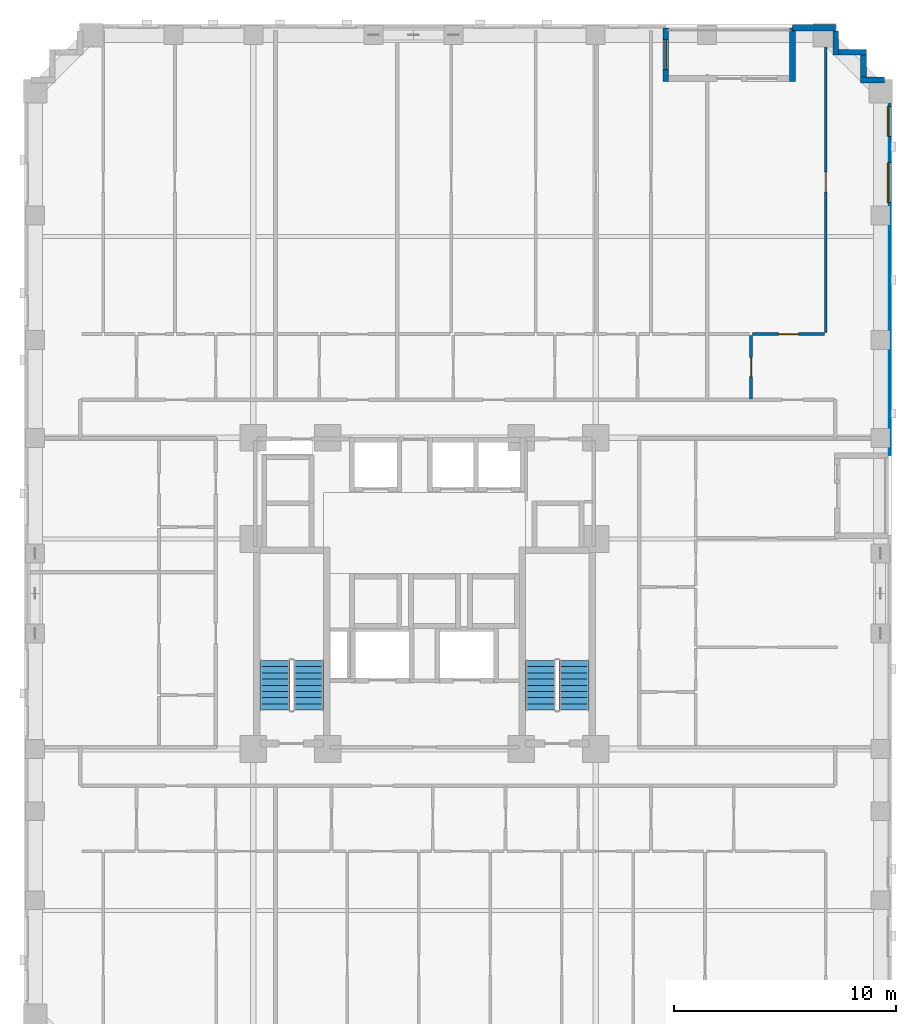
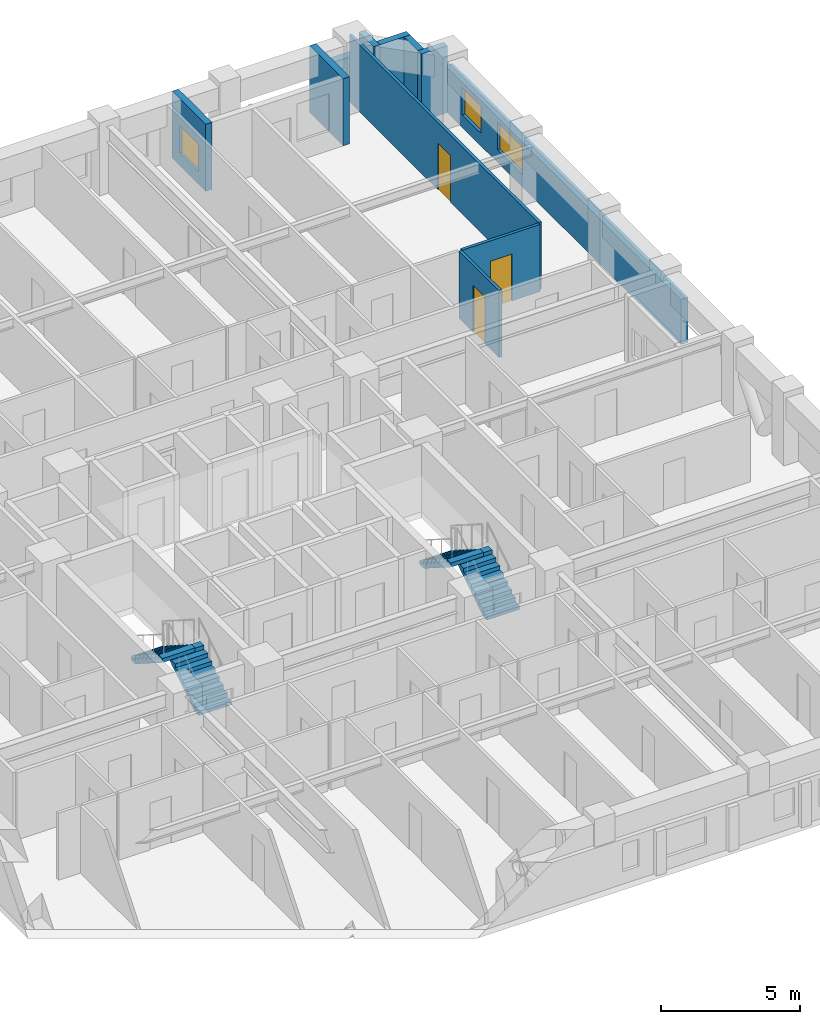
# One storey, part 9 of 14: 11 walls, 4 stair flights, 3 doors, 3 windows, 6 openings, 2 elements without a shape of their own.
"""IFC4 building model written with IfcOpenShell, lengths in metres."""

from ifc_helpers import new_model, si_unit, derived_unit, direction, frame, frame_2d, origin, place, context, subcontext, project, spatial, polyline, rectangle, outline, extrude, material, layer, layer_set, type_object, element, fill, aggregate, save


model = new_model("IFC4")

# Units and contexts
model_context = context("Model", 3, precision=1e-05, world=origin(), true_north=direction((0.0, 1.0)))
body_context = subcontext(model_context, "Body", "Model", "MODEL_VIEW")
ifc_project = project(units=[si_unit("LENGTHUNIT", "METRE"), si_unit("AREAUNIT", "SQUARE_METRE"), si_unit("VOLUMEUNIT", "CUBIC_METRE"), si_unit("PLANEANGLEUNIT", "RADIAN"), si_unit("MASSUNIT", "GRAM", prefix="KILO"), derived_unit("THERMALTRANSMITTANCEUNIT", [(si_unit("MASSUNIT", "GRAM", prefix="KILO"), 1), (si_unit("TIMEUNIT", "SECOND"), -3), (si_unit("THERMODYNAMICTEMPERATUREUNIT", "KELVIN"), -1)])], contexts=[model_context])

# Site, building, storey
site_placement = place(None, origin())
site = spatial("IfcSite", under=ifc_project, at=site_placement, CompositionType="ELEMENT")
building_placement = place(site_placement, origin())
building = spatial("IfcBuilding", under=site, at=building_placement, Name="Korrvale Station Residences", CompositionType="ELEMENT")
storey_placement = place(building_placement, frame((0.0, 0.0, 64.199951171875)))
storey = spatial("IfcBuildingStorey", under=building, at=storey_placement, Name="L17", CompositionType="ELEMENT", Elevation=64.199951171875)

# Wall, opening, window
ifc_material_1 = material(Name="Precast concrete C45/55", Category="concrete")
ifc_layer_1 = layer(ifc_material_1, 0.260009765625, Name="Precast concrete C45/55")
ifc_layer_set_1 = layer_set([ifc_layer_1], Name="Precast concrete C45/55")
wall_type_1 = type_object("IfcWallType", Name="WAL-EXT-LOG260", PredefinedType="SOLIDWALL", material=ifc_layer_set_1)
wall_1_placement = place(storey_placement, frame((36.35009765625, 47.43994140625, 0.0), z_axis=(0.0, 0.0, 1.0), x_axis=(0.0, -1.0, 0.0)))
wall_1 = element("IfcWall", 1, at=wall_1_placement, inside=storey, type_object=wall_type_1, Name="L17 Recessed Loggia Wall BAL-L17-N1-L", PredefinedType="SOLIDWALL", context=body_context, shape_type="SweptSolid", body=[
    extrude(rectangle(XDim=2.39990234375, YDim=0.260009765625, at=frame_2d((1.199951171875, 0.0))), origin(), (0.0, 0.0, 1.0), 2.93994140625),
])
opening_1_placement = place(wall_1_placement, frame((0.52490234375, 0.0, 0.550048828125)))
opening_1 = element("IfcOpeningElement", 2, at=opening_1_placement, cuts=wall_1, Name="Opening W-10", PredefinedType="OPENING", context=body_context, shape_type="SweptSolid", body=[
    extrude(rectangle(XDim=1.35009765625, YDim=1.199951171875, at=frame_2d((0.675048828125, 0.60009765625))), frame((0.0, 0.14013671875, 0.0), z_axis=(0.0, -1.0, 0.0), x_axis=(1.0, 0.0, 0.0)), (0.0, 0.0, 1.0), 0.280029296875),
])
ifc_material_2 = material(Name="Thermally broken aluminium frame with triple low-e glazing", Category="aluminium")
window_type_1 = type_object("IfcWindowType", Name="WIN-W10", PartitioningType="SINGLE_PANEL", PredefinedType="WINDOW", material=ifc_material_2)
window_1_placement = place(opening_1_placement, origin())
window_1 = element("IfcWindow", 3, at=window_1_placement, inside=storey, type_object=window_type_1, Name="L17 Punched Window 21", OverallHeight=1.199951171875, OverallWidth=1.35009765625, PartitioningType="SINGLE_PANEL", PredefinedType="WINDOW", context=body_context, shape_type="SweptSolid", body=[
    extrude(rectangle(XDim=1.35009765625, YDim=1.199951171875, at=frame_2d((0.675048828125, 0.60009765625))), frame((0.0, 0.030029296875, 0.0), z_axis=(0.0, -1.0, 0.0), x_axis=(1.0, 0.0, 0.0)), (0.0, 0.0, 1.0), 0.06005859375),
])
fill(opening_1, window_1)

# Walls
wall_2_placement = place(storey_placement, frame((42.050048828125, 45.0400390625, 0.0), z_axis=(0.0, 0.0, 1.0), x_axis=(0.0, 1.0, 0.0)))
element("IfcWall", 4, at=wall_2_placement, inside=storey, type_object=wall_type_1, Name="L17 Recessed Loggia Wall BAL-L17-N1-R", PredefinedType="SOLIDWALL", context=body_context, shape_type="SweptSolid", body=[
    extrude(rectangle(XDim=2.39990234375, YDim=0.260009765625, at=frame_2d((1.199951171875, 0.0))), origin(), (0.0, 0.0, 1.0), 2.93994140625),
])
wall_3_placement = place(storey_placement, frame((44.0, 47.298095703125, 0.0), z_axis=(0.0, 0.0, 1.0), x_axis=(0.0, -1.0, 0.0)))
element("IfcWall", 5, at=wall_3_placement, inside=storey, type_object=wall_type_1, Name="L17 Serrated Corner Precast Step NE-1", PredefinedType="SOLIDWALL", context=body_context, shape_type="SweptSolid", body=[
    extrude(rectangle(XDim=1.078125, YDim=0.260009765625, at=frame_2d((0.5390625, 0.0))), origin(), (0.0, 0.0, 1.0), 2.93994140625),
])
wall_4_placement = place(storey_placement, frame((44.132080078125, 46.35009765625, 0.0), z_axis=(0.0, 0.0, 1.0), x_axis=(1.0, 0.0, 0.0)))
element("IfcWall", 6, at=wall_4_placement, inside=storey, type_object=wall_type_1, Name="L17 Serrated Corner Precast Step NE-2", PredefinedType="SOLIDWALL", context=body_context, shape_type="SweptSolid", body=[
    extrude(rectangle(XDim=1.247802734375, YDim=0.260009765625, at=frame_2d((0.6240234375, 0.0))), origin(), (0.0, 0.0, 1.0), 2.93994140625),
])
wall_5_placement = place(storey_placement, frame((45.25, 46.218017578125, 0.0), z_axis=(0.0, 0.0, 1.0), x_axis=(0.0, -1.0, 0.0)))
element("IfcWall", 7, at=wall_5_placement, inside=storey, type_object=wall_type_1, Name="L17 Serrated Corner Precast Step NE-3", PredefinedType="SOLIDWALL", context=body_context, shape_type="SweptSolid", body=[
    extrude(rectangle(XDim=0.986083984375, YDim=0.260009765625, at=frame_2d((0.4931640625, 0.0))), origin(), (0.0, 0.0, 1.0), 2.93994140625),
])
wall_6_placement = place(storey_placement, frame((45.1201171875, 45.10009765625, 0.0), z_axis=(0.0, 0.0, 1.0), x_axis=(1.0, 0.0, 0.0)))
element("IfcWall", 8, at=wall_6_placement, inside=storey, type_object=wall_type_1, Name="L17 Serrated Corner Precast Step NE-4", PredefinedType="SOLIDWALL", context=body_context, shape_type="SweptSolid", body=[
    extrude(rectangle(XDim=1.077880859375, YDim=0.260009765625, at=frame_2d((0.5390625, 0.0))), origin(), (0.0, 0.0, 1.0), 2.93994140625),
])
ifc_layer_2 = layer(ifc_material_1, 0.300048828125, Name="Precast concrete C45/55")
ifc_layer_set_2 = layer_set([ifc_layer_2], Name="Precast concrete C45/55")
wall_type_2 = type_object("IfcWallType", Name="WAL-EXT-PC300", PredefinedType="SOLIDWALL", material=ifc_layer_set_2)
wall_7_placement = place(storey_placement, frame((42.050048828125, 47.449951171875, 0.0), z_axis=(0.0, 0.0, 1.0), x_axis=(1.0, 0.0, 0.0)))
element("IfcWall", 9, at=wall_7_placement, inside=storey, type_object=wall_type_2, Name="L17 North Exterior Precast Wall 2", PredefinedType="SOLIDWALL", context=body_context, shape_type="SweptSolid", body=[
    extrude(rectangle(XDim=1.949951171875, YDim=0.300048828125, at=frame_2d((0.97509765625, 0.0))), origin(), (0.0, 0.0, 1.0), 1.97509765625),
])

# Wall, openings, windows
wall_8_placement = place(storey_placement, frame((46.35009765625, 45.10009765625, 0.0), z_axis=(0.0, 0.0, 1.0), x_axis=(0.0, -1.0, 0.0)))
wall_8 = element("IfcWall", 10, at=wall_8_placement, inside=storey, type_object=wall_type_2, Name="L17 East Exterior Precast Wall 1", PredefinedType="SOLIDWALL", context=body_context, shape_type="SweptSolid", body=[
    extrude(rectangle(XDim=16.900146484375, YDim=0.300048828125, at=frame_2d((8.4501953125, 0.0))), origin(), (0.0, 0.0, 1.0), 1.97509765625),
])
opening_2_placement = place(wall_8_placement, frame((3.715087890625, 0.0, 0.550048828125)))
opening_2 = element("IfcOpeningElement", 11, at=opening_2_placement, cuts=wall_8, Name="Opening W-09", PredefinedType="OPENING", context=body_context, shape_type="SweptSolid", body=[
    extrude(rectangle(XDim=1.800048828125, YDim=1.199951171875, at=frame_2d((0.89990234375, 0.60009765625))), frame((0.0, 0.16015625, 0.0), z_axis=(0.0, -1.0, 0.0), x_axis=(1.0, 0.0, 0.0)), (0.0, 0.0, 1.0), 0.320068359375),
])
opening_3_placement = place(wall_8_placement, frame((1.18505859375, 0.0, 0.550048828125)))
opening_3 = element("IfcOpeningElement", 12, at=opening_3_placement, cuts=wall_8, Name="Opening W-10", PredefinedType="OPENING", context=body_context, shape_type="SweptSolid", body=[
    extrude(rectangle(XDim=1.35009765625, YDim=1.199951171875, at=frame_2d((0.675048828125, 0.60009765625))), frame((0.0, 0.16015625, 0.0), z_axis=(0.0, -1.0, 0.0), x_axis=(1.0, 0.0, 0.0)), (0.0, 0.0, 1.0), 0.320068359375),
])
window_type_2 = type_object("IfcWindowType", Name="WIN-W09", PartitioningType="DOUBLE_PANEL_VERTICAL", PredefinedType="WINDOW", material=ifc_material_2)
window_2_placement = place(opening_2_placement, origin())
window_2 = element("IfcWindow", 13, at=window_2_placement, inside=storey, type_object=window_type_2, Name="L17 Punched Window 23", OverallHeight=1.199951171875, OverallWidth=1.800048828125, PartitioningType="DOUBLE_PANEL_VERTICAL", PredefinedType="WINDOW", context=body_context, shape_type="SweptSolid", body=[
    extrude(rectangle(XDim=1.800048828125, YDim=1.199951171875, at=frame_2d((0.89990234375, 0.60009765625))), frame((0.0, 0.030029296875, 0.0), z_axis=(0.0, -1.0, 0.0), x_axis=(1.0, 0.0, 0.0)), (0.0, 0.0, 1.0), 0.06005859375),
])
fill(opening_2, window_2)
window_3_placement = place(opening_3_placement, origin())
window_3 = element("IfcWindow", 14, at=window_3_placement, inside=storey, type_object=window_type_1, Name="L17 Punched Window 24", OverallHeight=1.199951171875, OverallWidth=1.35009765625, PartitioningType="SINGLE_PANEL", PredefinedType="WINDOW", context=body_context, shape_type="SweptSolid", body=[
    extrude(rectangle(XDim=1.35009765625, YDim=1.199951171875, at=frame_2d((0.675048828125, 0.60009765625))), frame((0.0, 0.030029296875, 0.0), z_axis=(0.0, -1.0, 0.0), x_axis=(1.0, 0.0, 0.0)), (0.0, 0.0, 1.0), 0.06005859375),
])
fill(opening_3, window_3)

# Wall, opening, door
ifc_material_3 = material(Name="Acoustic steel-stud gypsum board partition", Category="steel")
ifc_layer_3 = layer(ifc_material_3, 0.1201171875, Name="Acoustic steel-stud gypsum board partition")
ifc_layer_set_3 = layer_set([ifc_layer_3], Name="Acoustic steel-stud gypsum board partition")
wall_type_3 = type_object("IfcWallType", Name="WAL-PART-125", PredefinedType="PARTITIONING", material=ifc_layer_set_3)
wall_9_placement = place(storey_placement, frame((40.18994140625, 30.760009765625, 0.0), z_axis=(0.0, 0.0, 1.0), x_axis=(0.0, 1.0, 0.0)))
wall_9 = element("IfcWall", 15, at=wall_9_placement, inside=storey, type_object=wall_type_3, Name="L17 Suite Partition U06-V01", PredefinedType="PARTITIONING", context=body_context, shape_type="SweptSolid", body=[
    extrude(rectangle(XDim=2.85009765625, YDim=0.1201171875, at=frame_2d((1.425048828125, 0.0))), origin(), (0.0, 0.0, 1.0), 2.93994140625),
])
opening_4_placement = place(wall_9_placement, frame((0.9951171875, 0.0, 0.0)))
opening_4 = element("IfcOpeningElement", 16, at=opening_4_placement, cuts=wall_9, Name="Opening DB-860", PredefinedType="OPENING", context=body_context, shape_type="SweptSolid", body=[
    extrude(rectangle(XDim=0.860107421875, YDim=2.050048828125, at=frame_2d((0.43017578125, 1.02490234375))), frame((0.0, 0.070068359375, 0.0), z_axis=(0.0, -1.0, 0.0), x_axis=(1.0, 0.0, 0.0)), (0.0, 0.0, 1.0), 0.14013671875),
])
ifc_material_4 = material(Name="Moisture-resistant solid-core bathroom door", Category="timber")
door_type_1 = type_object("IfcDoorType", Name="DR-BATH-860", OperationType="NOTDEFINED", PredefinedType="DOOR", material=ifc_material_4)
door_1_placement = place(opening_4_placement, origin())
door_1 = element("IfcDoor", 17, at=door_1_placement, inside=storey, type_object=door_type_1, Name="L17 Studio Apartment L17-U06 Bathroom Door", OperationType="SINGLE_SWING_RIGHT", OverallHeight=2.050048828125, OverallWidth=0.860107421875, PredefinedType="DOOR", context=body_context, shape_type="SweptSolid", body=[
    extrude(rectangle(XDim=0.860107421875, YDim=2.050048828125, at=frame_2d((0.43017578125, 1.02490234375))), frame((0.0, 0.02490234375, 0.0), z_axis=(0.0, -1.0, 0.0), x_axis=(1.0, 0.0, 0.0)), (0.0, 0.0, 1.0), 0.050048828125),
])
fill(opening_4, door_1)

wall_10_placement = place(storey_placement, frame((40.25, 33.669921875, 0.0), z_axis=(0.0, 0.0, 1.0), x_axis=(1.0, 0.0, 0.0)))
wall_10 = element("IfcWall", 18, at=wall_10_placement, inside=storey, type_object=wall_type_3, Name="L17 Suite Partition U06-H12", PredefinedType="PARTITIONING", context=body_context, shape_type="SweptSolid", body=[
    extrude(rectangle(XDim=3.239990234375, YDim=0.1201171875, at=frame_2d((1.6201171875, 0.0))), origin(), (0.0, 0.0, 1.0), 2.93994140625),
])
opening_5_placement = place(wall_10_placement, frame((1.169921875, 0.0, 0.0)))
opening_5 = element("IfcOpeningElement", 19, at=opening_5_placement, cuts=wall_10, Name="Opening DI-900", PredefinedType="OPENING", context=body_context, shape_type="SweptSolid", body=[
    extrude(rectangle(XDim=0.89990234375, YDim=2.050048828125, at=frame_2d((0.449951171875, 1.02490234375))), frame((0.0, 0.070068359375, 0.0), z_axis=(0.0, -1.0, 0.0), x_axis=(1.0, 0.0, 0.0)), (0.0, 0.0, 1.0), 0.14013671875),
])
ifc_material_5 = material(Name="Painted solid-core timber interior room door", Category="wood")
door_type_2 = type_object("IfcDoorType", Name="DR-INT-900", OperationType="NOTDEFINED", PredefinedType="DOOR", material=ifc_material_5)
door_2_placement = place(opening_5_placement, origin())
door_2 = element("IfcDoor", 20, at=door_2_placement, inside=storey, type_object=door_type_2, Name="L17 Studio Apartment L17-U06 Kitchen Door", OperationType="SINGLE_SWING_LEFT", OverallHeight=2.050048828125, OverallWidth=0.89990234375, PredefinedType="DOOR", context=body_context, shape_type="SweptSolid", body=[
    extrude(rectangle(XDim=0.89990234375, YDim=2.050048828125, at=frame_2d((0.449951171875, 1.02490234375))), frame((0.0, 0.02490234375, 0.0), z_axis=(0.0, -1.0, 0.0), x_axis=(1.0, 0.0, 0.0)), (0.0, 0.0, 1.0), 0.050048828125),
])
fill(opening_5, door_2)

wall_11_placement = place(storey_placement, frame((43.550048828125, 33.72998046875, 0.0), z_axis=(0.0, 0.0, 1.0), x_axis=(0.0, 1.0, 0.0)))
wall_11 = element("IfcWall", 21, at=wall_11_placement, inside=storey, type_object=wall_type_3, Name="L17 Suite Partition U06-V23", PredefinedType="PARTITIONING", context=body_context, shape_type="SweptSolid", body=[
    extrude(rectangle(XDim=13.590087890625, YDim=0.1201171875, at=frame_2d((6.794921875, 0.0))), origin(), (0.0, 0.0, 1.0), 2.93994140625),
])
opening_6_placement = place(wall_11_placement, frame((6.330078125, 0.0, 0.0)))
opening_6 = element("IfcOpeningElement", 22, at=opening_6_placement, cuts=wall_11, Name="Opening DI-900", PredefinedType="OPENING", context=body_context, shape_type="SweptSolid", body=[
    extrude(rectangle(XDim=0.89990234375, YDim=2.050048828125, at=frame_2d((0.449951171875, 1.02490234375))), frame((0.0, 0.070068359375, 0.0), z_axis=(0.0, -1.0, 0.0), x_axis=(1.0, 0.0, 0.0)), (0.0, 0.0, 1.0), 0.14013671875),
])
door_3_placement = place(opening_6_placement, origin())
door_3 = element("IfcDoor", 23, at=door_3_placement, inside=storey, type_object=door_type_2, Name="L17 Studio Apartment L17-U06 Studio Living Room Door", OperationType="SINGLE_SWING_RIGHT", OverallHeight=2.050048828125, OverallWidth=0.89990234375, PredefinedType="DOOR", context=body_context, shape_type="SweptSolid", body=[
    extrude(rectangle(XDim=0.89990234375, YDim=2.050048828125, at=frame_2d((0.449951171875, 1.02490234375))), frame((0.0, 0.02490234375, 0.0), z_axis=(0.0, -1.0, 0.0), x_axis=(1.0, 0.0, 0.0)), (0.0, 0.0, 1.0), 0.050048828125),
])
fill(opening_6, door_3)

# Stair, stair flights
ifc_material_6 = material(Name="Concrete C50/60", Category="concrete")
stair_type = type_object("IfcStairType", Name="STR-DL-1350-18R-1778", PredefinedType="HALF_TURN_STAIR", material=ifc_material_6)
stair_1_placement = place(storey_placement, origin())
stair_1 = element("IfcStair", 24, at=stair_1_placement, inside=storey, type_object=stair_type, Name="L17 Exit Stair 1", PredefinedType="HALF_TURN_STAIR")
stair_flight_type = type_object("IfcStairFlightType", Name="FLT-DL-1350-18R-1778", PredefinedType="STRAIGHT", material=ifc_material_6)
stair_flight_1_placement = place(storey_placement, frame((20.27490234375, 16.75, 0.0), z_axis=(0.0, 0.0, 1.0), x_axis=(0.0, 1.0, 0.0)))
stair_flight_1 = element("IfcStairFlight", 25, at=stair_flight_1_placement, type_object=stair_flight_type, Name="ST-1 flight 1", NumberOfRisers=9, NumberOfTreads=8, PredefinedType="STRAIGHT", RiserHeight=0.177777778, TreadLength=0.28, context=body_context, shape_type="SweptSolid", body=[
    extrude(outline(polyline([(0.0, 0.0), (0.0, 0.177734375), (0.280029296875, 0.177734375), (0.280029296875, 0.35546875), (0.56005859375, 0.35546875), (0.56005859375, 0.533447265625), (0.840087890625, 0.533447265625), (0.840087890625, 0.711181640625), (1.1201171875, 0.711181640625), (1.1201171875, 0.888916015625), (1.39990234375, 0.888916015625), (1.39990234375, 1.066650390625), (1.679931640625, 1.066650390625), (1.679931640625, 1.244384765625), (1.9599609375, 1.244384765625), (1.9599609375, 1.422119140625), (2.239990234375, 1.422119140625), (2.239990234375, 1.60009765625), (2.239990234375, 1.24462890625), (0.27978515625, 0.0), (0.0, 0.0)])), frame((0.0, 0.675048828125, 0.0), z_axis=(0.0, -1.0, 0.0), x_axis=(1.0, 0.0, 0.0)), (0.0, 0.0, 1.0), 1.35009765625),
])
stair_flight_2_placement = place(storey_placement, frame((18.77490234375, 18.989990234375, 1.60009765625), z_axis=(0.0, 0.0, 1.0), x_axis=(0.0, -1.0, 0.0)))
stair_flight_2 = element("IfcStairFlight", 26, at=stair_flight_2_placement, type_object=stair_flight_type, Name="ST-1 flight 2", NumberOfRisers=9, NumberOfTreads=8, PredefinedType="STRAIGHT", RiserHeight=0.177777778, TreadLength=0.28, context=body_context, shape_type="SweptSolid", body=[
    extrude(outline(polyline([(0.0, 0.0), (0.0, 0.177734375), (0.280029296875, 0.177734375), (0.280029296875, 0.35546875), (0.56005859375, 0.35546875), (0.56005859375, 0.533447265625), (0.840087890625, 0.533447265625), (0.840087890625, 0.711181640625), (1.1201171875, 0.711181640625), (1.1201171875, 0.888916015625), (1.39990234375, 0.888916015625), (1.39990234375, 1.066650390625), (1.679931640625, 1.066650390625), (1.679931640625, 1.244384765625), (1.9599609375, 1.244384765625), (1.9599609375, 1.422119140625), (2.239990234375, 1.422119140625), (2.239990234375, 1.60009765625), (2.239990234375, 1.24462890625), (0.27978515625, 0.0), (0.0, 0.0)])), frame((0.0, 0.675048828125, 0.0), z_axis=(0.0, -1.0, 0.0), x_axis=(1.0, 0.0, 0.0)), (0.0, 0.0, 1.0), 1.35009765625),
])
aggregate(stair_1, [stair_flight_1, stair_flight_2])

stair_2_placement = place(storey_placement, origin())
stair_2 = element("IfcStair", 27, at=stair_2_placement, inside=storey, type_object=stair_type, Name="L17 Exit Stair 2", PredefinedType="HALF_TURN_STAIR")
stair_flight_3_placement = place(storey_placement, frame((32.22509765625, 16.75, 0.0), z_axis=(0.0, 0.0, 1.0), x_axis=(0.0, 1.0, 0.0)))
stair_flight_3 = element("IfcStairFlight", 28, at=stair_flight_3_placement, type_object=stair_flight_type, Name="ST-2 flight 1", NumberOfRisers=9, NumberOfTreads=8, PredefinedType="STRAIGHT", RiserHeight=0.177777778, TreadLength=0.28, context=body_context, shape_type="SweptSolid", body=[
    extrude(outline(polyline([(0.0, 0.0), (0.0, 0.177734375), (0.280029296875, 0.177734375), (0.280029296875, 0.35546875), (0.56005859375, 0.35546875), (0.56005859375, 0.533447265625), (0.840087890625, 0.533447265625), (0.840087890625, 0.711181640625), (1.1201171875, 0.711181640625), (1.1201171875, 0.888916015625), (1.39990234375, 0.888916015625), (1.39990234375, 1.066650390625), (1.679931640625, 1.066650390625), (1.679931640625, 1.244384765625), (1.9599609375, 1.244384765625), (1.9599609375, 1.422119140625), (2.239990234375, 1.422119140625), (2.239990234375, 1.60009765625), (2.239990234375, 1.24462890625), (0.27978515625, 0.0), (0.0, 0.0)])), frame((0.0, 0.675048828125, 0.0), z_axis=(0.0, -1.0, 0.0), x_axis=(1.0, 0.0, 0.0)), (0.0, 0.0, 1.0), 1.35009765625),
])
stair_flight_4_placement = place(storey_placement, frame((30.72509765625, 18.989990234375, 1.60009765625), z_axis=(0.0, 0.0, 1.0), x_axis=(0.0, -1.0, 0.0)))
stair_flight_4 = element("IfcStairFlight", 29, at=stair_flight_4_placement, type_object=stair_flight_type, Name="ST-2 flight 2", NumberOfRisers=9, NumberOfTreads=8, PredefinedType="STRAIGHT", RiserHeight=0.177777778, TreadLength=0.28, context=body_context, shape_type="SweptSolid", body=[
    extrude(outline(polyline([(0.0, 0.0), (0.0, 0.177734375), (0.280029296875, 0.177734375), (0.280029296875, 0.35546875), (0.56005859375, 0.35546875), (0.56005859375, 0.533447265625), (0.840087890625, 0.533447265625), (0.840087890625, 0.711181640625), (1.1201171875, 0.711181640625), (1.1201171875, 0.888916015625), (1.39990234375, 0.888916015625), (1.39990234375, 1.066650390625), (1.679931640625, 1.066650390625), (1.679931640625, 1.244384765625), (1.9599609375, 1.244384765625), (1.9599609375, 1.422119140625), (2.239990234375, 1.422119140625), (2.239990234375, 1.60009765625), (2.239990234375, 1.24462890625), (0.27978515625, 0.0), (0.0, 0.0)])), frame((0.0, 0.675048828125, 0.0), z_axis=(0.0, -1.0, 0.0), x_axis=(1.0, 0.0, 0.0)), (0.0, 0.0, 1.0), 1.35009765625),
])
aggregate(stair_2, [stair_flight_3, stair_flight_4])

save(model, "model.ifc")
